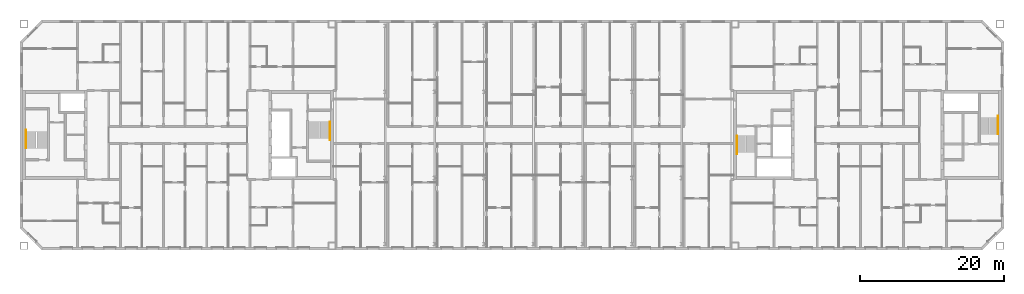
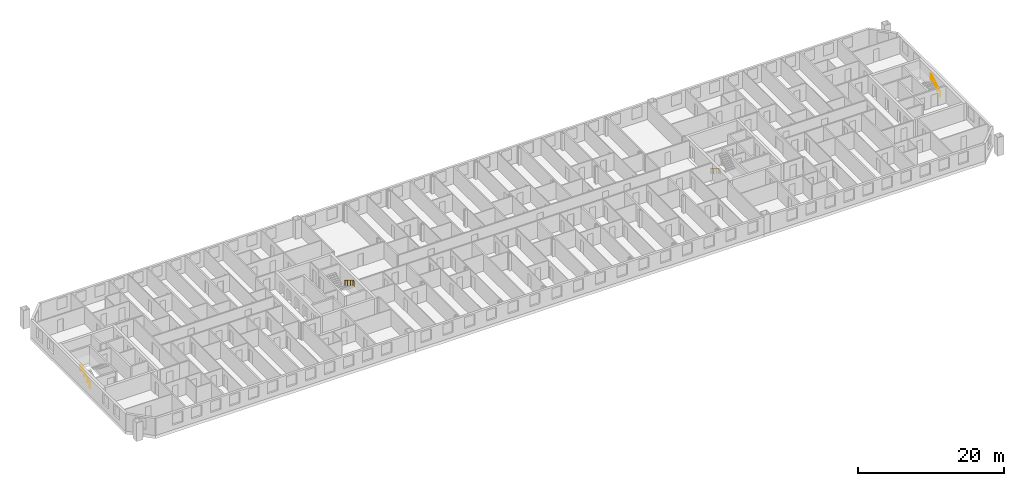
# One storey, part 19 of 19: 4 railings.
"""IFC4 building model written with IfcOpenShell, lengths in metres."""

from ifc_helpers import new_model, si_unit, direction, frame, origin, origin_2d, place, context, subcontext, project, spatial, circle, extrude, material, type_object, element, save


model = new_model("IFC4")

# Units and contexts
model_context = context("Model", 3, precision=1e-05, world=origin(), true_north=direction((0.0, 1.0)))
body_context = subcontext(model_context, "Body", "Model", "MODEL_VIEW")
ifc_project = project(units=[si_unit("LENGTHUNIT", "METRE"), si_unit("AREAUNIT", "SQUARE_METRE"), si_unit("VOLUMEUNIT", "CUBIC_METRE"), si_unit("PLANEANGLEUNIT", "RADIAN"), si_unit("MASSUNIT", "GRAM", prefix="KILO")], contexts=[model_context])

# Site, building, storey
site_placement = place(None, origin())
site = spatial("IfcSite", under=ifc_project, at=site_placement, CompositionType="ELEMENT")
building_placement = place(site_placement, origin())
building = spatial("IfcBuilding", under=site, at=building_placement, Name="Tuart Gate Housing", CompositionType="ELEMENT")
storey_placement = place(building_placement, frame((0.0, 0.0, 202.800048828125)))
storey = spatial("IfcBuildingStorey", under=building, at=storey_placement, Name="L57", CompositionType="ELEMENT", Elevation=202.800048828125)

# Railings
ifc_material = material(Name="Stainless steel", Category="steel")
railing_type = type_object("IfcRailingType", Name="Stair handrail 900", PredefinedType="HANDRAIL", material=ifc_material)
railing_1_placement = place(storey_placement, frame((75.179931640625, 71.824951171875, 0.172119140625)))
element("IfcRailing", 1, at=railing_1_placement, inside=storey, type_object=railing_type, Name="Stair handrail SA1.1", PredefinedType="HANDRAIL", context=body_context, shape_type="SweptSolid", body=[
    extrude(circle(Radius=0.02392578125, at=origin_2d()), frame((0.0, 0.0, 0.8759765625), z_axis=(0.0, -0.851747552033, 0.523952390591), x_axis=(1.0, 0.0, 0.0)), (0.0, 0.0, 1.0), 2.6298828125),
    extrude(circle(Radius=0.02392578125, at=origin_2d()), frame((0.0, -2.239990234375, 2.25390625), z_axis=(0.0, -1.0, 0.0), x_axis=(1.0, 0.0, 0.0)), (0.0, 0.0, 1.0), 0.300048828125),
    extrude(circle(Radius=0.02099609375, at=origin_2d()), origin(), (0.0, 0.0, 1.0), 0.851806640625),
    extrude(circle(Radius=0.02099609375, at=origin_2d()), frame((0.0, -0.74658203125, 0.459228515625)), (0.0, 0.0, 1.0), 0.851806640625),
    extrude(circle(Radius=0.02099609375, at=origin_2d()), frame((0.0, -1.493408203125, 0.918701171875)), (0.0, 0.0, 1.0), 0.851806640625),
    extrude(circle(Radius=0.02099609375, at=origin_2d()), frame((0.0, -2.239990234375, 1.3779296875)), (0.0, 0.0, 1.0), 0.851806640625),
    extrude(circle(Radius=0.02099609375, at=origin_2d()), frame((0.0, -2.5400390625, 1.3779296875)), (0.0, 0.0, 1.0), 0.851806640625),
])
railing_2_placement = place(storey_placement, frame((32.820068359375, 68.175048828125, 0.172119140625)))
element("IfcRailing", 2, at=railing_2_placement, inside=storey, type_object=railing_type, Name="Stair handrail SA2.1", PredefinedType="HANDRAIL", context=body_context, shape_type="SweptSolid", body=[
    extrude(circle(Radius=0.02392578125, at=origin_2d()), frame((0.0, 0.0, 0.8759765625), z_axis=(0.0, 0.851747552033, 0.523952390591), x_axis=(-1.0, 0.0, 0.0)), (0.0, 0.0, 1.0), 2.6298828125),
    extrude(circle(Radius=0.02392578125, at=origin_2d()), frame((0.0, 2.239990234375, 2.25390625), z_axis=(0.0, 1.0, 0.0), x_axis=(-1.0, 0.0, 0.0)), (0.0, 0.0, 1.0), 0.300048828125),
    extrude(circle(Radius=0.02099609375, at=origin_2d()), origin(), (0.0, 0.0, 1.0), 0.851806640625),
    extrude(circle(Radius=0.02099609375, at=origin_2d()), frame((0.0, 0.74658203125, 0.459228515625)), (0.0, 0.0, 1.0), 0.851806640625),
    extrude(circle(Radius=0.02099609375, at=origin_2d()), frame((0.0, 1.493408203125, 0.918701171875)), (0.0, 0.0, 1.0), 0.851806640625),
    extrude(circle(Radius=0.02099609375, at=origin_2d()), frame((0.0, 2.239990234375, 1.3779296875)), (0.0, 0.0, 1.0), 0.851806640625),
    extrude(circle(Radius=0.02099609375, at=origin_2d()), frame((0.0, 2.5400390625, 1.3779296875)), (0.0, 0.0, 1.0), 0.851806640625),
])
railing_3_placement = place(storey_placement, frame((131.820068359375, 69.875, 0.172119140625)))
element("IfcRailing", 3, at=railing_3_placement, inside=storey, type_object=railing_type, Name="Stair handrail SB1.1", PredefinedType="HANDRAIL", context=body_context, shape_type="SweptSolid", body=[
    extrude(circle(Radius=0.02392578125, at=origin_2d()), frame((0.0, 0.0, 0.8759765625), z_axis=(0.0, -0.851747552033, 0.523952390591), x_axis=(1.0, 0.0, 0.0)), (0.0, 0.0, 1.0), 2.6298828125),
    extrude(circle(Radius=0.02392578125, at=origin_2d()), frame((0.0, -2.239990234375, 2.25390625), z_axis=(0.0, -1.0, 0.0), x_axis=(1.0, 0.0, 0.0)), (0.0, 0.0, 1.0), 0.300048828125),
    extrude(circle(Radius=0.02099609375, at=origin_2d()), origin(), (0.0, 0.0, 1.0), 0.851806640625),
    extrude(circle(Radius=0.02099609375, at=origin_2d()), frame((0.0, -0.74658203125, 0.459228515625)), (0.0, 0.0, 1.0), 0.851806640625),
    extrude(circle(Radius=0.02099609375, at=origin_2d()), frame((0.0, -1.493408203125, 0.918701171875)), (0.0, 0.0, 1.0), 0.851806640625),
    extrude(circle(Radius=0.02099609375, at=origin_2d()), frame((0.0, -2.239990234375, 1.3779296875)), (0.0, 0.0, 1.0), 0.851806640625),
    extrude(circle(Radius=0.02099609375, at=origin_2d()), frame((0.0, -2.5400390625, 1.3779296875)), (0.0, 0.0, 1.0), 0.851806640625),
])
railing_4_placement = place(storey_placement, frame((168.179931640625, 70.125, 0.172119140625)))
element("IfcRailing", 4, at=railing_4_placement, inside=storey, type_object=railing_type, Name="Stair handrail SB2.1", PredefinedType="HANDRAIL", context=body_context, shape_type="SweptSolid", body=[
    extrude(circle(Radius=0.02392578125, at=origin_2d()), frame((0.0, 0.0, 0.8759765625), z_axis=(0.0, 0.851747552033, 0.523952390591), x_axis=(-1.0, 0.0, 0.0)), (0.0, 0.0, 1.0), 2.6298828125),
    extrude(circle(Radius=0.02392578125, at=origin_2d()), frame((0.0, 2.239990234375, 2.25390625), z_axis=(0.0, 1.0, 0.0), x_axis=(-1.0, 0.0, 0.0)), (0.0, 0.0, 1.0), 0.300048828125),
    extrude(circle(Radius=0.02099609375, at=origin_2d()), origin(), (0.0, 0.0, 1.0), 0.851806640625),
    extrude(circle(Radius=0.02099609375, at=origin_2d()), frame((0.0, 0.74658203125, 0.459228515625)), (0.0, 0.0, 1.0), 0.851806640625),
    extrude(circle(Radius=0.02099609375, at=origin_2d()), frame((0.0, 1.493408203125, 0.918701171875)), (0.0, 0.0, 1.0), 0.851806640625),
    extrude(circle(Radius=0.02099609375, at=origin_2d()), frame((0.0, 2.239990234375, 1.3779296875)), (0.0, 0.0, 1.0), 0.851806640625),
    extrude(circle(Radius=0.02099609375, at=origin_2d()), frame((0.0, 2.5400390625, 1.3779296875)), (0.0, 0.0, 1.0), 0.851806640625),
])

save(model, "model.ifc")
